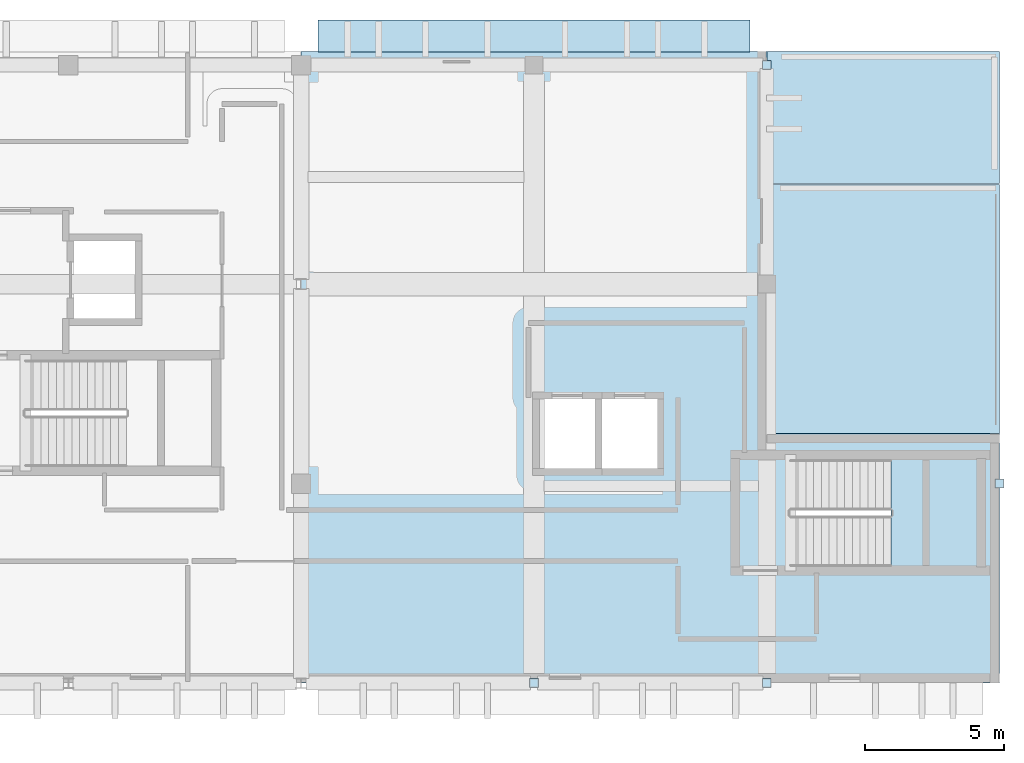
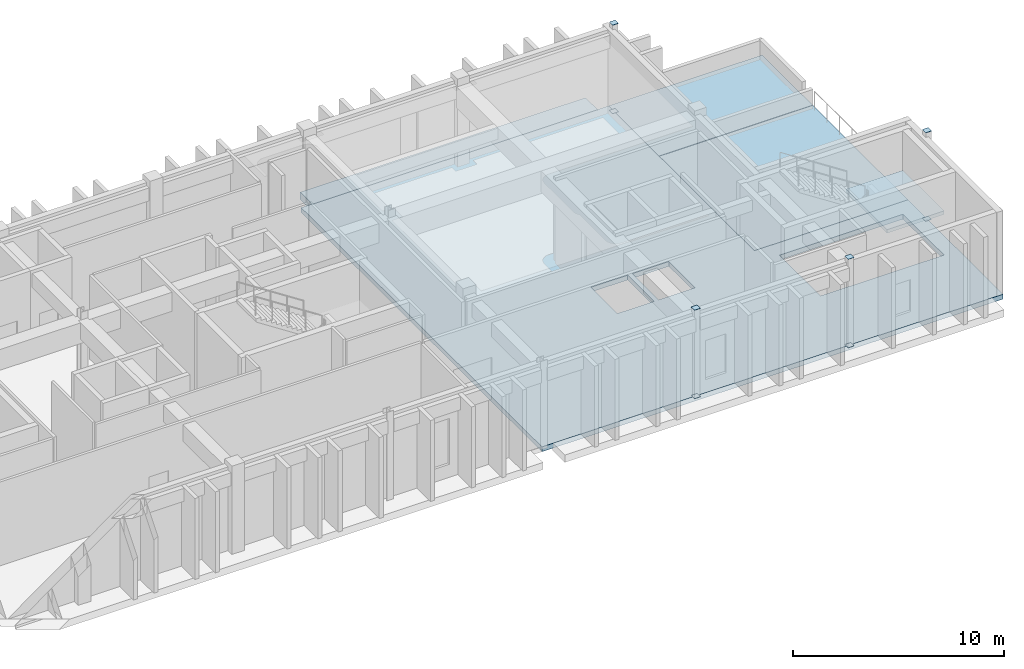
# One storey, part 4 of 9: 8 plates, 5 slabs, 1 element without a shape of its own.
"""IFC4 building model written with IfcOpenShell, lengths in metres."""

from ifc_helpers import new_model, si_unit, direction, frame, origin, origin_2d, place, context, subcontext, project, spatial, polyline, rectangle, outline, extrude, material, layer, layer_set, type_object, element, aggregate, save


model = new_model("IFC4")

# Units and contexts
model_context = context("Model", 3, precision=1e-05, world=origin(), true_north=direction((0.0, 1.0)))
body_context = subcontext(model_context, "Body", "Model", "MODEL_VIEW")
ifc_project = project(units=[si_unit("LENGTHUNIT", "METRE"), si_unit("AREAUNIT", "SQUARE_METRE"), si_unit("VOLUMEUNIT", "CUBIC_METRE"), si_unit("PLANEANGLEUNIT", "RADIAN"), si_unit("MASSUNIT", "GRAM", prefix="KILO")], contexts=[model_context])

# Site, building, storey
site_placement = place(None, origin())
site = spatial("IfcSite", under=ifc_project, at=site_placement, CompositionType="ELEMENT")
building_placement = place(site_placement, origin())
building = spatial("IfcBuilding", under=site, at=building_placement, Name="Quendrovan Civic Courthouse", CompositionType="ELEMENT")
storey_placement = place(building_placement, frame((0.0, 0.0, 30.60009765625)))
storey = spatial("IfcBuildingStorey", under=building, at=storey_placement, Name="L07", CompositionType="ELEMENT", Elevation=30.60009765625)

# Plates
ifc_material_1 = material(Name="Steel ASTM A572 Grade 50", Category="steel")
ifc_layer_1 = layer(ifc_material_1, 0.011962890625, Name="Steel ASTM A572 Grade 50")
ifc_layer_set_1 = layer_set([ifc_layer_1], Name="Steel ASTM A572 Grade 50")
plate_type = type_object("IfcPlateType", Name="PLT-CAP-12", PredefinedType="SHEET", material=ifc_layer_set_1)
for number, where, z_axis, x_axis, name in (
    (1, (75.60009765625, 87.60009765625, 5.10009765625), (0.0, 0.0, 1.0), (1.0, 0.0, 0.0), "L07 Hollow Column End Cap Plate COL-L07-10-M-TOP"),
    (2, (75.60009765625, 87.60009765625, -0.01220703125), (0.0, 0.0, 1.0), (1.0, 0.0, 0.0), "L07 Hollow Column End Cap Plate COL-L07-10-M-BOT"),
    (3, (84.0, 87.60009765625, 5.10009765625), (0.0, 0.0, 1.0), (1.0, 0.0, 0.0), "L07 Hollow Column End Cap Plate COL-L07-11-M-TOP"),
    (4, (84.0, 87.60009765625, -0.01220703125), (0.0, 0.0, 1.0), (1.0, 0.0, 0.0), "L07 Hollow Column End Cap Plate COL-L07-11-M-BOT"),
    (5, (84.0, 109.89990234375, 5.10009765625), (0.0, 0.0, 1.0), (1.0, 0.0, 0.0), "L07 Hollow Column End Cap Plate COL-L07-11-Q-TOP"),
    (6, (84.0, 109.89990234375, -0.01220703125), (0.0, 0.0, 1.0), (1.0, 0.0, 0.0), "L07 Hollow Column End Cap Plate COL-L07-11-Q-BOT"),
    (7, (92.39990234375, 94.800048828125, 5.10009765625), (0.0, 0.0, 1.0), (1.0, 0.0, 0.0), "L07 Hollow Column End Cap Plate COL-L07-12-N-TOP"),
    (8, (92.39990234375, 94.800048828125, -0.01220703125), (0.0, 0.0, 1.0), (1.0, 0.0, 0.0), "L07 Hollow Column End Cap Plate COL-L07-12-N-BOT"),
):
    element("IfcPlate", number, at=place(storey_placement, frame(where, z_axis=z_axis, x_axis=x_axis)), inside=storey, type_object=plate_type, Name=name, PredefinedType="SHEET", context=body_context, shape_type="SweptSolid", body=[
        extrude(rectangle(XDim=0.320068359375, YDim=0.320068359375, at=origin_2d()), origin(), (0.0, 0.0, 1.0), 0.011962890625),
    ])

# Slabs
ifc_material_2 = material(Name="Precast limestone concrete C45/55", Category="masonry")
ifc_layer_2 = layer(ifc_material_2, 0.419921875, Name="Precast limestone concrete C45/55")
ifc_layer_set_2 = layer_set([ifc_layer_2], Name="Precast limestone concrete C45/55")
slab_type_1 = type_object("IfcSlabType", Name="SLB-LEDGE-420", PredefinedType="FLOOR", material=ifc_layer_set_2)
slab_1_placement = place(storey_placement, frame((0.0, 0.0, -0.420166015625)))
element("IfcSlab", 9, at=slab_1_placement, inside=storey, type_object=slab_type_1, Name="L07 Precast Architectural Spandrel Fin Shelf 503-0", PredefinedType="FLOOR", context=body_context, shape_type="SweptSolid", body=[
    extrude(outline(polyline([(67.800048828125, 111.528076171875), (83.39990234375, 111.528076171875), (83.39990234375, 110.3779296875), (67.800048828125, 110.3779296875), (67.800048828125, 111.528076171875)])), origin(), (0.0, 0.0, 1.0), 0.420166015625),
])
ifc_material_3 = material(Name="Post-tensioned concrete C50/60", Category="concrete")
ifc_layer_3 = layer(ifc_material_3, 0.280029296875, Name="Post-tensioned concrete C50/60")
ifc_layer_set_3 = layer_set([ifc_layer_3], Name="Post-tensioned concrete C50/60")
slab_type_2 = type_object("IfcSlabType", Name="SLB-PT-280", PredefinedType="FLOOR", material=ifc_layer_set_3)
slab_2_placement = place(storey_placement, frame((0.0, 0.0, -0.280029296875)))
element("IfcSlab", 10, at=slab_2_placement, inside=storey, type_object=slab_type_2, Name="L07 Structural Floor Slab V2E", PredefinedType="FLOOR", context=body_context, shape_type="SweptSolid", body=[
    extrude(outline(polyline([(67.199951171875, 87.60009765625), (67.199951171875, 110.39990234375), (84.0, 110.39990234375), (84.0, 96.60009765625), (92.39990234375, 96.60009765625), (92.39990234375, 87.60009765625), (67.199951171875, 87.60009765625)]), holes=[polyline([(84.85009765625, 91.800048828125), (91.60009765625, 91.800048828125), (91.60009765625, 95.679931640625), (84.85009765625, 95.679931640625), (84.85009765625, 91.800048828125)]), polyline([(75.800048828125, 97.85009765625), (75.800048828125, 95.35009765625), (77.800048828125, 95.35009765625), (77.800048828125, 97.85009765625), (75.800048828125, 97.85009765625)]), polyline([(78.050048828125, 97.85009765625), (78.050048828125, 95.35009765625), (80.050048828125, 95.35009765625), (80.050048828125, 97.85009765625), (78.050048828125, 97.85009765625)])]), origin(), (0.0, 0.0, 1.0), 0.280029296875),
])
ifc_material_4 = material(Name="Concrete C45/55", Category="concrete")
ifc_layer_4 = layer(ifc_material_4, 0.419921875, Name="Concrete C45/55")
ifc_layer_set_4 = layer_set([ifc_layer_4], Name="Concrete C45/55")
slab_type_3 = type_object("IfcSlabType", Name="SLB-ROOF-420", PredefinedType="ROOF", material=ifc_layer_set_4)
slab_3_placement = place(storey_placement, frame((0.0, 0.0, -0.420166015625)))
element("IfcSlab", 11, at=slab_3_placement, inside=storey, type_object=slab_type_3, Name="L07 Step-Back Structural Roof Slab SLB-ROOF-L07-24", PredefinedType="ROOF", context=body_context, shape_type="SweptSolid", body=[
    extrude(outline(polyline([(92.39990234375, 105.6201171875), (84.0, 105.6201171875), (84.0, 110.39990234375), (92.39990234375, 110.39990234375), (92.39990234375, 105.6201171875)])), origin(), (0.0, 0.0, 1.0), 0.420166015625),
])

# Stair, slab
ifc_material_5 = material(Name="Concrete C40/50", Category="concrete")
stair_type = type_object("IfcStairType", Name="STR-CORE-5100", PredefinedType="HALF_TURN_STAIR", material=ifc_material_5)
stair_placement = place(storey_placement, origin())
stair = element("IfcStair", 12, at=stair_placement, inside=storey, type_object=stair_type, Name="L07 East Court Block Exit Stair 3", PredefinedType="HALF_TURN_STAIR")
ifc_layer_5 = layer(ifc_material_5, 0.199951171875, Name="Concrete C40/50")
ifc_layer_set_5 = layer_set([ifc_layer_5], Name="Concrete C40/50")
slab_type_4 = type_object("IfcSlabType", Name="SLB-STAIR-LND200", PredefinedType="LANDING", material=ifc_layer_set_5)
slab_4_placement = place(storey_placement, frame((0.0, 0.0, 2.349853515625)))
slab_4 = element("IfcSlab", 13, at=slab_4_placement, type_object=slab_type_4, Name="ST3 landing 1", PredefinedType="LANDING", context=body_context, shape_type="SweptSolid", body=[
    extrude(outline(polyline([(88.489990234375, 91.800048828125), (91.60009765625, 91.800048828125), (91.60009765625, 95.679931640625), (88.489990234375, 95.679931640625), (88.489990234375, 91.800048828125)])), origin(), (0.0, 0.0, 1.0), 0.199951171875),
])
aggregate(stair, [slab_4])

# Slab
ifc_layer_6 = layer(ifc_material_5, 0.239990234375, Name="Concrete C40/50")
ifc_layer_set_6 = layer_set([ifc_layer_6], Name="Concrete C40/50")
slab_type_5 = type_object("IfcSlabType", Name="SLB-TER-240", PredefinedType="FLOOR", material=ifc_layer_set_6)
slab_5_placement = place(storey_placement, frame((0.0, 0.0, -0.239990234375)))
element("IfcSlab", 14, at=slab_5_placement, inside=storey, type_object=slab_type_5, Name="L07 Exterior Judicial Terrace Slab TER-L07-NE", PredefinedType="FLOOR", context=body_context, shape_type="SweptSolid", body=[
    extrude(outline(polyline([(92.39990234375, 96.60009765625), (92.39990234375, 105.60009765625), (84.0, 105.60009765625), (84.0, 96.60009765625), (92.39990234375, 96.60009765625)])), origin(), (0.0, 0.0, 1.0), 0.239990234375),
])

save(model, "model.ifc")
